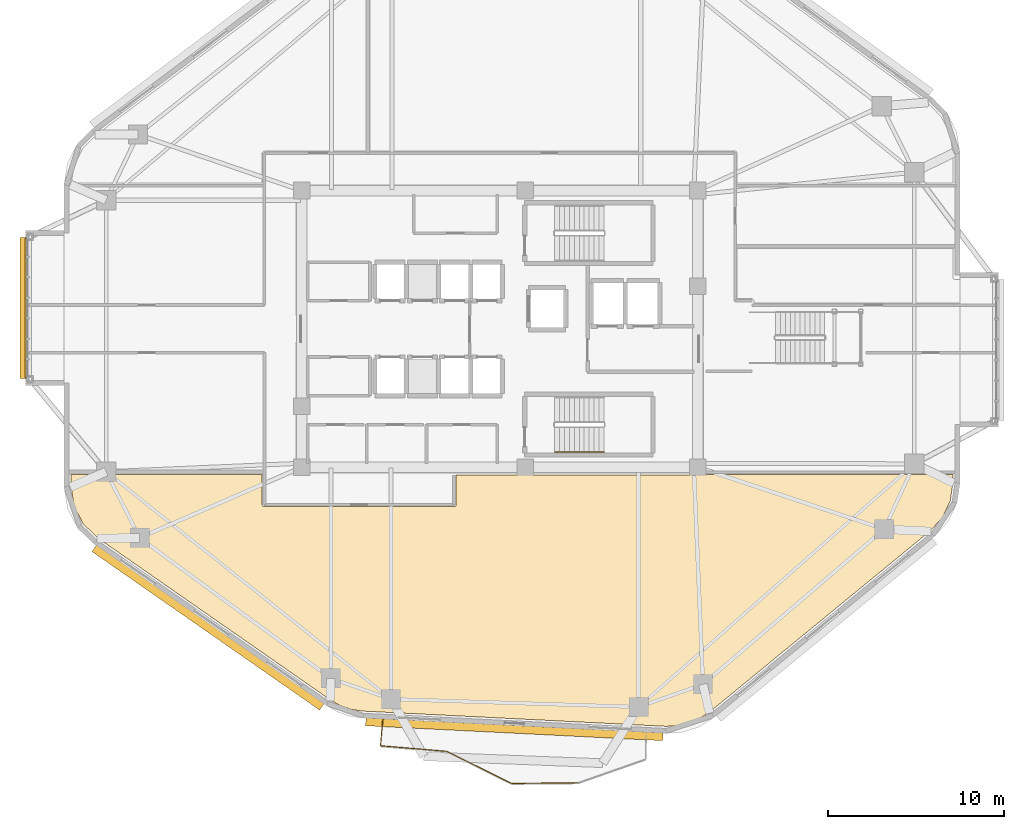
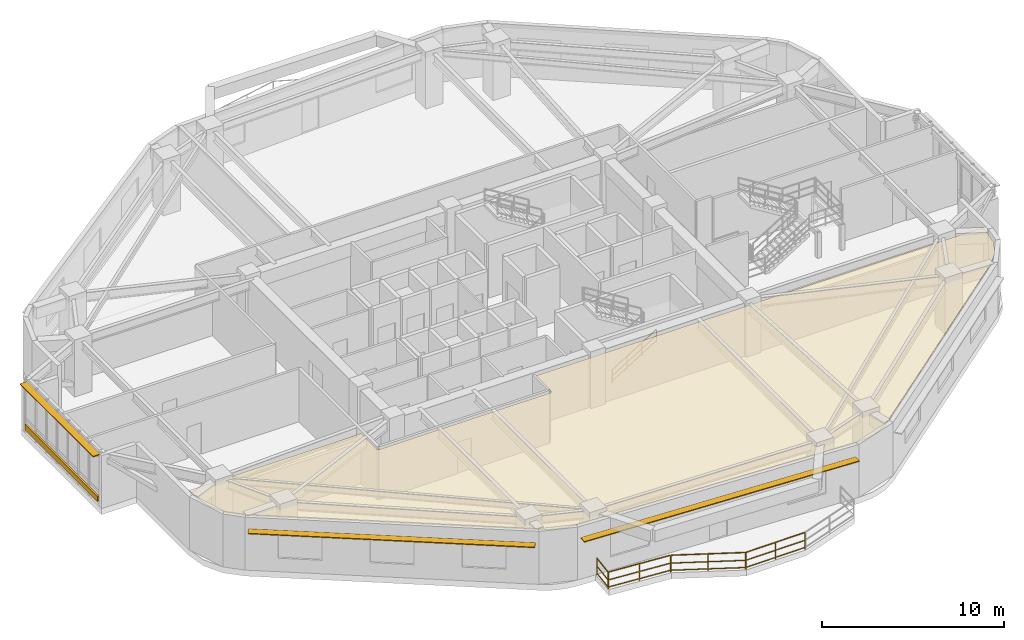
# One storey, part 13 of 16: 5 railings, 4 shading devices, 1 covering.
"""IFC4 building model written with IfcOpenShell, lengths in metres."""

from ifc_helpers import new_model, si_unit, direction, frame, origin, origin_2d, place, context, subcontext, project, spatial, polyline, rectangle, outline, extrude, material, layer, layer_set, type_object, element, save


model = new_model("IFC4")

# Units and contexts
model_context = context("Model", 3, precision=1e-05, world=origin(), true_north=direction((0.0, 1.0)))
body_context = subcontext(model_context, "Body", "Model", "MODEL_VIEW")
ifc_project = project(units=[si_unit("LENGTHUNIT", "METRE"), si_unit("AREAUNIT", "SQUARE_METRE"), si_unit("VOLUMEUNIT", "CUBIC_METRE"), si_unit("PLANEANGLEUNIT", "RADIAN"), si_unit("MASSUNIT", "GRAM", prefix="KILO")], contexts=[model_context])

# Site, building, storey
site_placement = place(None, origin())
site = spatial("IfcSite", under=ifc_project, at=site_placement, CompositionType="ELEMENT")
building_placement = place(site_placement, origin())
building = spatial("IfcBuilding", under=site, at=building_placement, Name="Zulverin Broadcast Headquarters", CompositionType="ELEMENT")
storey_placement = place(building_placement, frame((0.0, 0.0, 125.0)))
storey = spatial("IfcBuildingStorey", under=building, at=storey_placement, Name="L31", CompositionType="ELEMENT", Elevation=125.0)

# Covering
ifc_material_1 = material(Name="Perforated pale-metal acoustic baffle ceiling", Category="aluminium")
ifc_layer_1 = layer(ifc_material_1, 0.0400390625, Name="Perforated pale-metal acoustic baffle ceiling", Category="aluminium")
ifc_layer_set_1 = layer_set([ifc_layer_1], Name="Perforated pale-metal acoustic baffle ceiling")
covering_type = type_object("IfcCoveringType", Name="COV-CEIL-ACOU", PredefinedType="CEILING", material=ifc_layer_set_1)
covering_placement = place(storey_placement, frame((0.0, 0.0, 3.360107421875)))
element("IfcCovering", 1, at=covering_placement, inside=storey, type_object=covering_type, Name="L31 Acoustic Baffle Ceiling 03", PredefinedType="CEILING", context=body_context, shape_type="SweptSolid", body=[
    extrude(outline(polyline([(23.48388671875, 15.176025390625), (23.47998046875, 15.18798828125), (23.47998046875, 15.199951171875), (23.47998046875, 16.89990234375), (12.60009765625, 16.89990234375), (12.60009765625, 16.216064453125), (12.783935546875, 15.087890625), (13.300048828125, 14.095947265625), (14.1279296875, 13.2958984375), (27.367919921875, 4.075927734375), (27.947998046875, 3.748046875), (28.56396484375, 3.535888671875), (29.22802734375, 3.444091796875), (46.49609375, 2.575927734375), (47.3720703125, 2.639892578125), (48.18798828125, 2.907958984375), (48.931884765625, 3.3798828125), (61.49609375, 13.696044921875), (62.2080078125, 14.47607421875), (62.64404296875, 15.404052734375), (62.800048828125, 16.447998046875), (62.800048828125, 16.89990234375), (48.66796875, 16.89990234375), (48.656005859375, 16.89599609375), (48.64404296875, 16.887939453125), (48.635986328125, 16.884033203125), (48.6240234375, 16.884033203125), (48.612060546875, 16.8798828125), (48.60009765625, 16.8798828125), (34.52001953125, 16.8798828125), (34.52001953125, 15.199951171875), (34.52001953125, 15.18798828125), (34.51611328125, 15.176025390625), (34.51611328125, 15.1640625), (34.511962890625, 15.156005859375), (34.50390625, 15.14404296875), (34.5, 15.132080078125), (34.491943359375, 15.1240234375), (34.48388671875, 15.115966796875), (34.47607421875, 15.10791015625), (34.468017578125, 15.10009765625), (34.4560546875, 15.095947265625), (34.444091796875, 15.087890625), (34.43603515625, 15.083984375), (34.424072265625, 15.083984375), (34.412109375, 15.080078125), (34.39990234375, 15.080078125), (23.60009765625, 15.080078125), (23.587890625, 15.080078125), (23.575927734375, 15.083984375), (23.56396484375, 15.083984375), (23.555908203125, 15.087890625), (23.5439453125, 15.095947265625), (23.531982421875, 15.10009765625), (23.52392578125, 15.10791015625), (23.51611328125, 15.115966796875), (23.508056640625, 15.1240234375), (23.5, 15.132080078125), (23.49609375, 15.14404296875), (23.488037109375, 15.156005859375), (23.48388671875, 15.1640625), (23.48388671875, 15.176025390625)])), origin(), (0.0, 0.0, 1.0), 0.039794921875),
])

# Railings
ifc_material_2 = material(Name="Brushed stainless steel & laminated glass balustrade", Category="steel")
railing_type_1 = type_object("IfcRailingType", Name="RL-GUARD-1150", PredefinedType="GUARDRAIL", material=ifc_material_2)
railing_1_placement = place(storey_placement, frame((30.344482421875, 2.94580078125, 0.0)))
element("IfcRailing", 2, at=railing_1_placement, inside=storey, type_object=railing_type_1, Name="L31 Vertical-Forest Balcony Guardrail BAL_S Segment 01", PredefinedType="GUARDRAIL", context=body_context, shape_type="SweptSolid", body=[
    extrude(rectangle(XDim=0.048095703125, YDim=0.048095703125, at=origin_2d()), frame((0.0, 0.0, 1.1259765625), z_axis=(-0.090580785215, -0.995889110971, 0.0), x_axis=(0.995889110971, -0.090580785215, 0.0)), (0.0, 0.0, 1.0), 1.46630859375),
    extrude(rectangle(XDim=0.0419921875, YDim=0.0419921875, at=origin_2d()), frame((0.0, 0.0, 0.597900390625), z_axis=(-0.090580785215, -0.995889110971, 0.0), x_axis=(0.995889110971, -0.090580785215, 0.0)), (0.0, 0.0, 1.0), 1.46630859375),
    extrude(rectangle(XDim=0.0419921875, YDim=0.0419921875, at=origin_2d()), frame((0.0, 0.0, 0.1201171875), z_axis=(-0.090580785215, -0.995889110971, 0.0), x_axis=(0.995889110971, -0.090580785215, 0.0)), (0.0, 0.0, 1.0), 1.46630859375),
    extrude(rectangle(XDim=0.0419921875, YDim=0.0419921875, at=origin_2d()), origin(), (0.0, 0.0, 1.0), 1.101806640625),
    extrude(rectangle(XDim=0.0419921875, YDim=0.0419921875, at=origin_2d()), frame((-0.1328125, -1.460205078125, 0.0)), (0.0, 0.0, 1.0), 1.101806640625),
])
railing_2_placement = place(storey_placement, frame((30.22509765625, 1.469482421875, 0.0)))
element("IfcRailing", 3, at=railing_2_placement, inside=storey, type_object=railing_type_1, Name="L31 Vertical-Forest Balcony Guardrail BAL_S Segment 02", PredefinedType="GUARDRAIL", context=body_context, shape_type="SweptSolid", body=[
    extrude(rectangle(XDim=0.048095703125, YDim=0.048095703125, at=origin_2d()), frame((0.0, 0.0, 1.1259765625), z_axis=(0.996499426465, -0.083599599611, 0.0), x_axis=(0.083599599611, 0.996499426465, 0.0)), (0.0, 0.0, 1.0), 3.755615234375),
    extrude(rectangle(XDim=0.0419921875, YDim=0.0419921875, at=origin_2d()), frame((0.0, 0.0, 0.597900390625), z_axis=(0.996499426465, -0.083599599611, 0.0), x_axis=(0.083599599611, 0.996499426465, 0.0)), (0.0, 0.0, 1.0), 3.755615234375),
    extrude(rectangle(XDim=0.0419921875, YDim=0.0419921875, at=origin_2d()), frame((0.0, 0.0, 0.1201171875), z_axis=(0.996499426465, -0.083599599611, 0.0), x_axis=(0.083599599611, 0.996499426465, 0.0)), (0.0, 0.0, 1.0), 3.755615234375),
    extrude(rectangle(XDim=0.0419921875, YDim=0.0419921875, at=origin_2d()), origin(), (0.0, 0.0, 1.0), 1.101806640625),
    extrude(rectangle(XDim=0.0419921875, YDim=0.0419921875, at=origin_2d()), frame((1.87109375, -0.156982421875, 0.0)), (0.0, 0.0, 1.0), 1.101806640625),
    extrude(rectangle(XDim=0.0419921875, YDim=0.0419921875, at=origin_2d()), frame((3.742431640625, -0.31396484375, 0.0)), (0.0, 0.0, 1.0), 1.101806640625),
])
railing_3_placement = place(storey_placement, frame((33.995849609375, 1.147705078125, 0.0)))
element("IfcRailing", 4, at=railing_3_placement, inside=storey, type_object=railing_type_1, Name="L31 Vertical-Forest Balcony Guardrail BAL_S Segment 03", PredefinedType="GUARDRAIL", context=body_context, shape_type="SweptSolid", body=[
    extrude(rectangle(XDim=0.048095703125, YDim=0.048095703125, at=origin_2d()), frame((0.0, 0.0, 1.1259765625), z_axis=(0.896303694625, -0.443440736742, 0.0), x_axis=(0.443440736742, 0.896303694625, 0.0)), (0.0, 0.0, 1.0), 4.093994140625),
    extrude(rectangle(XDim=0.0419921875, YDim=0.0419921875, at=origin_2d()), frame((0.0, 0.0, 0.597900390625), z_axis=(0.896303694625, -0.443440736742, 0.0), x_axis=(0.443440736742, 0.896303694625, 0.0)), (0.0, 0.0, 1.0), 4.093994140625),
    extrude(rectangle(XDim=0.0419921875, YDim=0.0419921875, at=origin_2d()), frame((0.0, 0.0, 0.1201171875), z_axis=(0.896303694625, -0.443440736742, 0.0), x_axis=(0.443440736742, 0.896303694625, 0.0)), (0.0, 0.0, 1.0), 4.093994140625),
    extrude(rectangle(XDim=0.0419921875, YDim=0.0419921875, at=origin_2d()), origin(), (0.0, 0.0, 1.0), 1.101806640625),
    extrude(rectangle(XDim=0.0419921875, YDim=0.0419921875, at=origin_2d()), frame((1.834716796875, -0.90771484375, 0.0)), (0.0, 0.0, 1.0), 1.101806640625),
    extrude(rectangle(XDim=0.0419921875, YDim=0.0419921875, at=origin_2d()), frame((3.66943359375, -1.8154296875, 0.0)), (0.0, 0.0, 1.0), 1.101806640625),
])
railing_4_placement = place(storey_placement, frame((37.693603515625, -0.67431640625, 0.0)))
element("IfcRailing", 5, at=railing_4_placement, inside=storey, type_object=railing_type_1, Name="L31 Vertical-Forest Balcony Guardrail BAL_S Segment 04", PredefinedType="GUARDRAIL", context=body_context, shape_type="SweptSolid", body=[
    extrude(rectangle(XDim=0.048095703125, YDim=0.048095703125, at=origin_2d()), frame((0.0, 0.0, 1.1259765625), z_axis=(0.999946711721, 0.010323454786, 0.0), x_axis=(-0.010323454786, 0.999946711721, 0.0)), (0.0, 0.0, 1.0), 3.76025390625),
    extrude(rectangle(XDim=0.0419921875, YDim=0.0419921875, at=origin_2d()), frame((0.0, 0.0, 0.597900390625), z_axis=(0.999946711721, 0.010323454786, 0.0), x_axis=(-0.010323454786, 0.999946711721, 0.0)), (0.0, 0.0, 1.0), 3.76025390625),
    extrude(rectangle(XDim=0.0419921875, YDim=0.0419921875, at=origin_2d()), frame((0.0, 0.0, 0.1201171875), z_axis=(0.999946711721, 0.010323454786, 0.0), x_axis=(-0.010323454786, 0.999946711721, 0.0)), (0.0, 0.0, 1.0), 3.76025390625),
    extrude(rectangle(XDim=0.0419921875, YDim=0.0419921875, at=origin_2d()), origin(), (0.0, 0.0, 1.0), 1.101806640625),
    extrude(rectangle(XDim=0.0419921875, YDim=0.0419921875, at=origin_2d()), frame((1.8798828125, 0.01953125, 0.0)), (0.0, 0.0, 1.0), 1.101806640625),
    extrude(rectangle(XDim=0.0419921875, YDim=0.0419921875, at=origin_2d()), frame((3.760009765625, 0.038818359375, 0.0)), (0.0, 0.0, 1.0), 1.101806640625),
])
ifc_material_3 = material(Name="Brushed stainless steel 48 mm handrail", Category="steel")
railing_type_2 = type_object("IfcRailingType", Name="RL-ST-HAND", PredefinedType="HANDRAIL", material=ifc_material_3)
railing_5_placement = place(storey_placement, frame((40.1298828125, 18.199951171875, 0.172607421875)))
element("IfcRailing", 6, at=railing_5_placement, inside=storey, type_object=railing_type_2, Name="L31 ST-2 stair handrail 1", PredefinedType="HANDRAIL", context=body_context, shape_type="SweptSolid", body=[
    extrude(rectangle(XDim=0.048095703125, YDim=0.048095703125, at=origin_2d()), frame((0.0, 0.0, 0.8759765625), z_axis=(0.851089632645, 0.0, 0.525020415988), x_axis=(0.0, 1.0, 0.0)), (0.0, 0.0, 1.0), 3.2900390625),
    extrude(rectangle(XDim=0.0419921875, YDim=0.0419921875, at=origin_2d()), frame((0.0, 0.0, 0.468017578125), z_axis=(0.851089632645, 0.0, 0.525020415988), x_axis=(0.0, 1.0, 0.0)), (0.0, 0.0, 1.0), 3.2900390625),
    extrude(rectangle(XDim=0.0419921875, YDim=0.0419921875, at=origin_2d()), frame((0.0, 0.0, 0.1201171875), z_axis=(0.851089632645, 0.0, 0.525020415988), x_axis=(0.0, 1.0, 0.0)), (0.0, 0.0, 1.0), 3.2900390625),
    extrude(rectangle(XDim=0.0419921875, YDim=0.0419921875, at=origin_2d()), origin(), (0.0, 0.0, 1.0), 0.851806640625),
    extrude(rectangle(XDim=0.0419921875, YDim=0.0419921875, at=origin_2d()), frame((0.933349609375, 0.0, 0.57568359375)), (0.0, 0.0, 1.0), 0.851806640625),
    extrude(rectangle(XDim=0.0419921875, YDim=0.0419921875, at=origin_2d()), frame((1.86669921875, 0.0, 1.151611328125)), (0.0, 0.0, 1.0), 0.851806640625),
    extrude(rectangle(XDim=0.0419921875, YDim=0.0419921875, at=origin_2d()), frame((2.800048828125, 0.0, 1.727294921875)), (0.0, 0.0, 1.0), 0.851806640625),
])

# Shading devices
ifc_material_4 = material(Name="Anodized pale-metal aluminium acoustic louvre", Category="aluminium")
shading_device_type_1 = type_object("IfcShadingDeviceType", Name="SHD-LOUVRE-350", PredefinedType="USERDEFINED", material=ifc_material_4)
shading_device_1_placement = place(storey_placement, frame((10.0400390625, 26.389892578125, 0.224853515625), z_axis=(0.0, 0.0, 1.0), x_axis=(0.0, -1.0, 0.0)))
element("IfcShadingDevice", 7, at=shading_device_1_placement, inside=storey, type_object=shading_device_type_1, Name="L31 Pale-Metal Acoustic Louvre Screen CW-L31-SBOX_SKY1_W-F", ObjectType="LOUVRE", PredefinedType="USERDEFINED", context=body_context, shape_type="SweptSolid", body=[
    extrude(rectangle(XDim=7.93994140625, YDim=0.1201171875, at=origin_2d()), origin(), (0.0, 0.0, 1.0), 0.35009765625),
])
ifc_material_5 = material(Name="Anodized pale-metal aluminium sunshade", Category="aluminium")
ifc_layer_2 = layer(ifc_material_5, 0.06005859375, Name="Anodized pale-metal aluminium sunshade", Category="aluminium")
ifc_layer_set_2 = layer_set([ifc_layer_2], Name="Anodized pale-metal aluminium sunshade")
shading_device_type_2 = type_object("IfcShadingDeviceType", Name="SS-01_PALE_METAL_ALUMINIUM_SUNSHADE", PredefinedType="USERDEFINED", material=ifc_layer_set_2)
shading_device_2_placement = place(storey_placement, frame((37.83349609375, 2.409912109375, 2.7099609375), z_axis=(0.0, 0.0, 1.0), x_axis=(0.99874387485, -0.050106610841, 0.0)))
element("IfcShadingDevice", 8, at=shading_device_2_placement, inside=storey, type_object=shading_device_type_2, Name="L31 Horizontal Pale-Metal Sunshade Band 1", ObjectType="SUNSHADE", PredefinedType="USERDEFINED", context=body_context, shape_type="SweptSolid", body=[
    extrude(rectangle(XDim=16.932861328125, YDim=0.449951171875, at=origin_2d()), origin(), (0.0, 0.0, 1.0), 0.06005859375),
])
shading_device_3_placement = place(storey_placement, frame((20.399169921875, 8.1982421875, 2.7099609375), z_axis=(0.0, 0.0, 1.0), x_axis=(0.820695732456, -0.57136548262, 0.0)))
element("IfcShadingDevice", 9, at=shading_device_3_placement, inside=storey, type_object=shading_device_type_2, Name="L31 Horizontal Pale-Metal Sunshade Band 8", ObjectType="SUNSHADE", PredefinedType="USERDEFINED", context=body_context, shape_type="SweptSolid", body=[
    extrude(rectangle(XDim=15.785400390625, YDim=0.449951171875, at=origin_2d()), origin(), (0.0, 0.0, 1.0), 0.06005859375),
])
shading_device_4_placement = place(storey_placement, frame((9.919921875, 26.389892578125, 3.31005859375), z_axis=(0.0, 0.0, 1.0), x_axis=(0.0, -1.0, 0.0)))
element("IfcShadingDevice", 10, at=shading_device_4_placement, inside=storey, type_object=shading_device_type_2, Name="L31 Pale-Metal Horizontal Sunshade Band CW-L31-SBOX_SKY1_W-F", ObjectType="SUNSHADE", PredefinedType="USERDEFINED", context=body_context, shape_type="SweptSolid", body=[
    extrude(rectangle(XDim=8.02001953125, YDim=0.449951171875, at=origin_2d()), origin(), (0.0, 0.0, 1.0), 0.06005859375),
])

save(model, "model.ifc")
